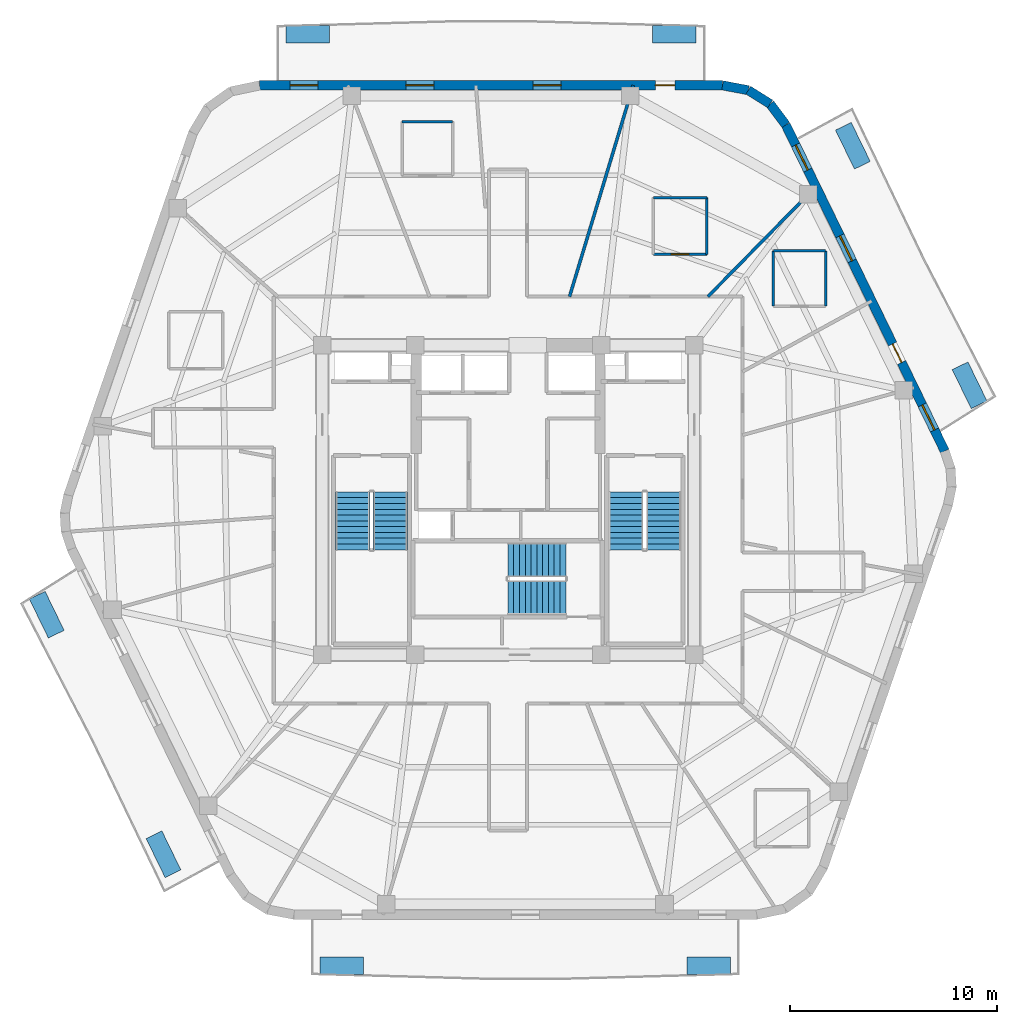
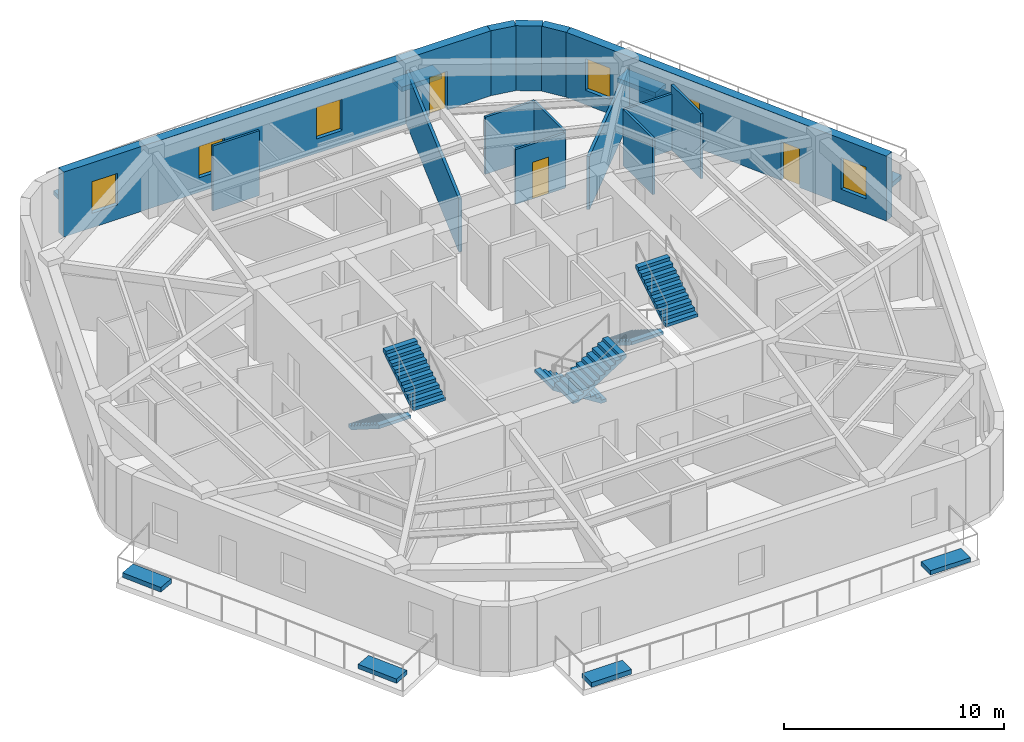
# One storey, part 6 of 9: 14 walls, 8 discrete accessories, 6 stair flights, 6 windows, 3 doors, 9 openings, 3 elements without a shape of their own.
"""IFC4 building model written with IfcOpenShell, lengths in metres."""

from ifc_helpers import new_model, si_unit, direction, frame, frame_2d, origin, origin_2d, place, context, subcontext, project, spatial, polyline, rectangle, outline, extrude, material, layer, layer_set, type_object, element, fill, aggregate, save


model = new_model("IFC4")

# Units and contexts
model_context = context("Model", 3, precision=1e-05, world=origin(), true_north=direction((0.0, 1.0)))
body_context = subcontext(model_context, "Body", "Model", "MODEL_VIEW")
ifc_project = project(units=[si_unit("LENGTHUNIT", "METRE"), si_unit("AREAUNIT", "SQUARE_METRE"), si_unit("VOLUMEUNIT", "CUBIC_METRE"), si_unit("PLANEANGLEUNIT", "RADIAN"), si_unit("MASSUNIT", "GRAM", prefix="KILO")], contexts=[model_context])

# Site, building, storey
site_placement = place(None, origin())
site = spatial("IfcSite", under=ifc_project, at=site_placement, CompositionType="ELEMENT")
building_placement = place(site_placement, origin())
building = spatial("IfcBuilding", under=site, at=building_placement, Name="Kilnhurst Terrace Hotel", CompositionType="ELEMENT")
storey_placement = place(building_placement, frame((0.0, 0.0, 280.800048828125)))
storey = spatial("IfcBuildingStorey", under=building, at=storey_placement, Name="L70", CompositionType="ELEMENT", Elevation=280.800048828125)

# Walls
ifc_material_1 = material(Name="Precast concrete C40/50", Category="concrete")
ifc_layer_1 = layer(ifc_material_1, 0.449951171875, Name="Precast concrete C40/50")
ifc_layer_set_1 = layer_set([ifc_layer_1], Name="Precast concrete C40/50")
wall_type_1 = type_object("IfcWallType", Name="WL-BRK-450", PredefinedType="SOLIDWALL", material=ifc_layer_set_1)
wall_1_placement = place(storey_placement, frame((13.44287109375, 18.159912109375, 0.0), z_axis=(0.0, 0.0, 1.0), x_axis=(-0.597042425808, 0.802209661987, 0.0)))
element("IfcWall", 1, at=wall_1_placement, inside=storey, type_object=wall_type_1, Name="L70 Rounded Corner Brick Wall C4.1", PredefinedType="SOLIDWALL", context=body_context, shape_type="SweptSolid", body=[
    extrude(rectangle(XDim=1.269775390625, YDim=0.449951171875, at=frame_2d((0.634765625, 0.0))), origin(), (0.0, 0.0, 1.0), 3.599853515625),
])
wall_2_placement = place(storey_placement, frame((12.684814453125, 19.178466796875, 0.0), z_axis=(0.0, 0.0, 1.0), x_axis=(-0.848031272749, 0.529946186362, 0.0)))
element("IfcWall", 2, at=wall_2_placement, inside=storey, type_object=wall_type_1, Name="L70 Rounded Corner Brick Wall C4.2", PredefinedType="SOLIDWALL", context=body_context, shape_type="SweptSolid", body=[
    extrude(rectangle(XDim=1.248046875, YDim=0.449951171875, at=frame_2d((0.6240234375, 0.0))), origin(), (0.0, 0.0, 1.0), 3.599853515625),
])
wall_3_placement = place(storey_placement, frame((11.62646484375, 19.83984375, 0.0), z_axis=(0.0, 0.0, 1.0), x_axis=(-0.982701956681, 0.185194126083, 0.0)))
element("IfcWall", 3, at=wall_3_placement, inside=storey, type_object=wall_type_1, Name="L70 Rounded Corner Brick Wall C4.3", PredefinedType="SOLIDWALL", context=body_context, shape_type="SweptSolid", body=[
    extrude(rectangle(XDim=1.26953125, YDim=0.449951171875, at=frame_2d((0.634765625, 0.0))), origin(), (0.0, 0.0, 1.0), 3.599853515625),
])

# Wall, openings, door, windows
wall_4_placement = place(storey_placement, frame((21.138427734375, 2.370849609375, 0.0), z_axis=(0.0, 0.0, 1.0), x_axis=(-0.438128124058, 0.89891253574, 0.0)))
wall_4 = element("IfcWall", 4, at=wall_4_placement, inside=storey, type_object=wall_type_1, Name="L70 Exterior Brick Facade Wall F3", PredefinedType="SOLIDWALL", context=body_context, shape_type="SweptSolid", body=[
    extrude(rectangle(XDim=17.564697265625, YDim=0.449951171875, at=frame_2d((8.7822265625, 0.0))), origin(), (0.0, 0.0, 1.0), 3.599853515625),
])
opening_1_placement = place(wall_4_placement, frame((4.76904296875, 0.0, 0.0)))
opening_1 = element("IfcOpeningElement", 5, at=opening_1_placement, cuts=wall_4, Name="Opening BD-1000", PredefinedType="OPENING", context=body_context, shape_type="SweptSolid", body=[
    extrude(rectangle(XDim=1.0, YDim=2.14990234375, at=frame_2d((0.5, 1.074951171875))), frame((0.0, 0.23486328125, 0.0), z_axis=(0.0, -1.0, 0.0), x_axis=(1.0, 0.0, 0.0)), (0.0, 0.0, 1.0), 0.469970703125),
])
opening_2_placement = place(wall_4_placement, frame((10.242919921875, 0.0, 0.800048828125)))
opening_2 = element("IfcOpeningElement", 6, at=opening_2_placement, cuts=wall_4, Name="Opening W-06", PredefinedType="OPENING", context=body_context, shape_type="SweptSolid", body=[
    extrude(rectangle(XDim=1.35009765625, YDim=1.75, at=frame_2d((0.675048828125, 0.875))), frame((0.0, 0.23486328125, 0.0), z_axis=(0.0, -1.0, 0.0), x_axis=(1.0, 0.0, 0.0)), (0.0, 0.0, 1.0), 0.469970703125),
])
opening_3_placement = place(wall_4_placement, frame((15.132080078125, 0.0, 0.800048828125)))
opening_3 = element("IfcOpeningElement", 7, at=opening_3_placement, cuts=wall_4, Name="Opening W-06", PredefinedType="OPENING", context=body_context, shape_type="SweptSolid", body=[
    extrude(rectangle(XDim=1.35009765625, YDim=1.75, at=frame_2d((0.675048828125, 0.875))), frame((0.0, 0.23486328125, 0.0), z_axis=(0.0, -1.0, 0.0), x_axis=(1.0, 0.0, 0.0)), (0.0, 0.0, 1.0), 0.469970703125),
])
opening_4_placement = place(wall_4_placement, frame((1.133056640625, 0.0, 0.800048828125)))
opening_4 = element("IfcOpeningElement", 8, at=opening_4_placement, cuts=wall_4, Name="Opening W-06", PredefinedType="OPENING", context=body_context, shape_type="SweptSolid", body=[
    extrude(rectangle(XDim=1.35009765625, YDim=1.75, at=frame_2d((0.675048828125, 0.875))), frame((0.0, 0.23486328125, 0.0), z_axis=(0.0, -1.0, 0.0), x_axis=(1.0, 0.0, 0.0)), (0.0, 0.0, 1.0), 0.469970703125),
])
ifc_material_2 = material(Name="Thermally Broken Bronze Aluminium Alloy 6063-T6 and Laminated Glass", Category="aluminium")
door_type_1 = type_object("IfcDoorType", Name="DR-EXT-BAL-1000", OperationType="NOTDEFINED", PredefinedType="DOOR", material=ifc_material_2)
door_1_placement = place(opening_1_placement, origin())
door_1 = element("IfcDoor", 9, at=door_1_placement, inside=storey, type_object=door_type_1, Name="L70 Planted Balcony Door BAL-L1A", OperationType="SINGLE_SWING_LEFT", OverallHeight=2.14990234375, OverallWidth=1.0, PredefinedType="DOOR", context=body_context, shape_type="SweptSolid", body=[
    extrude(rectangle(XDim=1.0, YDim=2.14990234375, at=frame_2d((0.5, 1.074951171875))), frame((0.0, 0.02490234375, 0.0), z_axis=(0.0, -1.0, 0.0), x_axis=(1.0, 0.0, 0.0)), (0.0, 0.0, 1.0), 0.050048828125),
])
fill(opening_1, door_1)
ifc_material_3 = material(Name="Thermally Broken Bronze Aluminium Alloy 6063-T6 and Low-E Glass", Category="aluminium")
window_type = type_object("IfcWindowType", Name="WIN-1350X1750", PartitioningType="SINGLE_PANEL", PredefinedType="WINDOW", material=ifc_material_3)
window_1_placement = place(opening_2_placement, origin())
window_1 = element("IfcWindow", 10, at=window_1_placement, inside=storey, type_object=window_type, Name="L70 Deep-Set Masonry Window F3.1", OverallHeight=1.75, OverallWidth=1.35009765625, PartitioningType="SINGLE_PANEL", PredefinedType="WINDOW", context=body_context, shape_type="SweptSolid", body=[
    extrude(rectangle(XDim=1.35009765625, YDim=1.75, at=frame_2d((0.675048828125, 0.875))), frame((0.0, 0.030029296875, 0.0), z_axis=(0.0, -1.0, 0.0), x_axis=(1.0, 0.0, 0.0)), (0.0, 0.0, 1.0), 0.06005859375),
])
fill(opening_2, window_1)
window_2_placement = place(opening_3_placement, origin())
window_2 = element("IfcWindow", 11, at=window_2_placement, inside=storey, type_object=window_type, Name="L70 Deep-Set Masonry Window F3.2", OverallHeight=1.75, OverallWidth=1.35009765625, PartitioningType="SINGLE_PANEL", PredefinedType="WINDOW", context=body_context, shape_type="SweptSolid", body=[
    extrude(rectangle(XDim=1.35009765625, YDim=1.75, at=frame_2d((0.675048828125, 0.875))), frame((0.0, 0.030029296875, 0.0), z_axis=(0.0, -1.0, 0.0), x_axis=(1.0, 0.0, 0.0)), (0.0, 0.0, 1.0), 0.06005859375),
])
fill(opening_3, window_2)
window_3_placement = place(opening_4_placement, origin())
window_3 = element("IfcWindow", 12, at=window_3_placement, inside=storey, type_object=window_type, Name="L70 Deep-Set Masonry Window F3.3", OverallHeight=1.75, OverallWidth=1.35009765625, PartitioningType="SINGLE_PANEL", PredefinedType="WINDOW", context=body_context, shape_type="SweptSolid", body=[
    extrude(rectangle(XDim=1.35009765625, YDim=1.75, at=frame_2d((0.675048828125, 0.875))), frame((0.0, 0.030029296875, 0.0), z_axis=(0.0, -1.0, 0.0), x_axis=(1.0, 0.0, 0.0)), (0.0, 0.0, 1.0), 0.06005859375),
])
fill(opening_4, window_3)

wall_5_placement = place(storey_placement, frame((10.37890625, 20.074951171875, 0.0), z_axis=(0.0, 0.0, 1.0), x_axis=(-1.0, 0.0, 0.0)))
wall_5 = element("IfcWall", 13, at=wall_5_placement, inside=storey, type_object=wall_type_1, Name="L70 Exterior Brick Facade Wall F4", PredefinedType="SOLIDWALL", context=body_context, shape_type="SweptSolid", body=[
    extrude(rectangle(XDim=22.417236328125, YDim=0.449951171875, at=frame_2d((11.20849609375, 0.0))), origin(), (0.0, 0.0, 1.0), 3.599853515625),
])
opening_5_placement = place(wall_5_placement, frame((2.302001953125, 0.0, 0.0)))
opening_5 = element("IfcOpeningElement", 14, at=opening_5_placement, cuts=wall_5, Name="Opening BD-950", PredefinedType="OPENING", context=body_context, shape_type="SweptSolid", body=[
    extrude(rectangle(XDim=0.949951171875, YDim=2.14990234375, at=frame_2d((0.47509765625, 1.074951171875))), frame((0.0, 0.23486328125, 0.0), z_axis=(0.0, -1.0, 0.0), x_axis=(1.0, 0.0, 0.0)), (0.0, 0.0, 1.0), 0.469970703125),
])
opening_6_placement = place(wall_5_placement, frame((7.820068359375, 0.0, 0.800048828125)))
opening_6 = element("IfcOpeningElement", 15, at=opening_6_placement, cuts=wall_5, Name="Opening W-06", PredefinedType="OPENING", context=body_context, shape_type="SweptSolid", body=[
    extrude(rectangle(XDim=1.35009765625, YDim=1.75, at=frame_2d((0.675048828125, 0.875))), frame((0.0, 0.23486328125, 0.0), z_axis=(0.0, -1.0, 0.0), x_axis=(1.0, 0.0, 0.0)), (0.0, 0.0, 1.0), 0.469970703125),
])
opening_7_placement = place(wall_5_placement, frame((13.97802734375, 0.0, 0.800048828125)))
opening_7 = element("IfcOpeningElement", 16, at=opening_7_placement, cuts=wall_5, Name="Opening W-06", PredefinedType="OPENING", context=body_context, shape_type="SweptSolid", body=[
    extrude(rectangle(XDim=1.35009765625, YDim=1.75, at=frame_2d((0.675048828125, 0.875))), frame((0.0, 0.23486328125, 0.0), z_axis=(0.0, -1.0, 0.0), x_axis=(1.0, 0.0, 0.0)), (0.0, 0.0, 1.0), 0.469970703125),
])
opening_8_placement = place(wall_5_placement, frame((19.5869140625, 0.0, 0.800048828125)))
opening_8 = element("IfcOpeningElement", 17, at=opening_8_placement, cuts=wall_5, Name="Opening W-06", PredefinedType="OPENING", context=body_context, shape_type="SweptSolid", body=[
    extrude(rectangle(XDim=1.35009765625, YDim=1.75, at=frame_2d((0.675048828125, 0.875))), frame((0.0, 0.23486328125, 0.0), z_axis=(0.0, -1.0, 0.0), x_axis=(1.0, 0.0, 0.0)), (0.0, 0.0, 1.0), 0.469970703125),
])
door_type_2 = type_object("IfcDoorType", Name="DR-EXT-BAL-950", OperationType="NOTDEFINED", PredefinedType="DOOR", material=ifc_material_2)
door_2_placement = place(opening_5_placement, origin())
door_2 = element("IfcDoor", 18, at=door_2_placement, inside=storey, type_object=door_type_2, Name="L70 Planted Balcony Door BAL-L1B", OperationType="SINGLE_SWING_RIGHT", OverallHeight=2.14990234375, OverallWidth=0.949951171875, PredefinedType="DOOR", context=body_context, shape_type="SweptSolid", body=[
    extrude(rectangle(XDim=0.949951171875, YDim=2.14990234375, at=frame_2d((0.47509765625, 1.074951171875))), frame((0.0, 0.02490234375, 0.0), z_axis=(0.0, -1.0, 0.0), x_axis=(1.0, 0.0, 0.0)), (0.0, 0.0, 1.0), 0.050048828125),
])
fill(opening_5, door_2)
window_4_placement = place(opening_6_placement, origin())
window_4 = element("IfcWindow", 19, at=window_4_placement, inside=storey, type_object=window_type, Name="L70 Deep-Set Masonry Window F4.1", OverallHeight=1.75, OverallWidth=1.35009765625, PartitioningType="SINGLE_PANEL", PredefinedType="WINDOW", context=body_context, shape_type="SweptSolid", body=[
    extrude(rectangle(XDim=1.35009765625, YDim=1.75, at=frame_2d((0.675048828125, 0.875))), frame((0.0, 0.030029296875, 0.0), z_axis=(0.0, -1.0, 0.0), x_axis=(1.0, 0.0, 0.0)), (0.0, 0.0, 1.0), 0.06005859375),
])
fill(opening_6, window_4)
window_5_placement = place(opening_7_placement, origin())
window_5 = element("IfcWindow", 20, at=window_5_placement, inside=storey, type_object=window_type, Name="L70 Deep-Set Masonry Window F4.2", OverallHeight=1.75, OverallWidth=1.35009765625, PartitioningType="SINGLE_PANEL", PredefinedType="WINDOW", context=body_context, shape_type="SweptSolid", body=[
    extrude(rectangle(XDim=1.35009765625, YDim=1.75, at=frame_2d((0.675048828125, 0.875))), frame((0.0, 0.030029296875, 0.0), z_axis=(0.0, -1.0, 0.0), x_axis=(1.0, 0.0, 0.0)), (0.0, 0.0, 1.0), 0.06005859375),
])
fill(opening_7, window_5)
window_6_placement = place(opening_8_placement, origin())
window_6 = element("IfcWindow", 21, at=window_6_placement, inside=storey, type_object=window_type, Name="L70 Deep-Set Masonry Window F4.3", OverallHeight=1.75, OverallWidth=1.35009765625, PartitioningType="SINGLE_PANEL", PredefinedType="WINDOW", context=body_context, shape_type="SweptSolid", body=[
    extrude(rectangle(XDim=1.35009765625, YDim=1.75, at=frame_2d((0.675048828125, 0.875))), frame((0.0, 0.030029296875, 0.0), z_axis=(0.0, -1.0, 0.0), x_axis=(1.0, 0.0, 0.0)), (0.0, 0.0, 1.0), 0.06005859375),
])
fill(opening_8, window_6)

# Walls
ifc_material_4 = material(Name="STC-58 Acoustic Twin-Frame Guestroom Demising Partition")
ifc_layer_2 = layer(ifc_material_4, 0.14990234375, Name="STC-58 Acoustic Twin-Frame Guestroom Demising Partition")
ifc_layer_set_2 = layer_set([ifc_layer_2], Name="STC-58 Acoustic Twin-Frame Guestroom Demising Partition")
wall_type_2 = type_object("IfcWallType", Name="WL-DEM-150", PredefinedType="PARTITIONING", material=ifc_layer_set_2)
wall_6_placement = place(storey_placement, frame((9.67236328125, 9.85009765625, 0.0), z_axis=(0.0, 0.0, 1.0), x_axis=(0.700629771301, 0.713524998558, 0.0)))
element("IfcWall", 22, at=wall_6_placement, inside=storey, type_object=wall_type_2, Name="L70 Interior Wall WL-L70-DEM-COL02-03-1", PredefinedType="PARTITIONING", context=body_context, shape_type="SweptSolid", body=[
    extrude(rectangle(XDim=7.45947265625, YDim=0.14990234375, at=frame_2d((3.729736328125, 0.0))), origin(), (0.0, 0.0, 1.0), 2.93994140625),
])
wall_7_placement = place(storey_placement, frame((2.97216796875, 9.85009765625, 0.0), z_axis=(0.0, 0.0, 1.0), x_axis=(0.288872169679, 0.957367677324, 0.0)))
element("IfcWall", 23, at=wall_7_placement, inside=storey, type_object=wall_type_2, Name="L70 Interior Wall WL-L70-DEM-COL03-04-1", PredefinedType="PARTITIONING", context=body_context, shape_type="SweptSolid", body=[
    extrude(rectangle(XDim=10.68017578125, YDim=0.14990234375, at=frame_2d((5.340087890625, 0.0))), origin(), (0.0, 0.0, 1.0), 2.93994140625),
])
ifc_material_5 = material(Name="120 mm Moisture-Resistant Tile-Backed Bathroom Partition")
ifc_layer_3 = layer(ifc_material_5, 0.1201171875, Name="120 mm Moisture-Resistant Tile-Backed Bathroom Partition")
ifc_layer_set_3 = layer_set([ifc_layer_3], Name="120 mm Moisture-Resistant Tile-Backed Bathroom Partition")
wall_type_3 = type_object("IfcWallType", Name="WL-PART-120", PredefinedType="PARTITIONING", material=ifc_layer_set_3)
wall_8_placement = place(storey_placement, frame((15.365966796875, 9.382080078125, 0.0), z_axis=(0.0, 0.0, 1.0), x_axis=(0.0, 1.0, 0.0)))
element("IfcWall", 24, at=wall_8_placement, inside=storey, type_object=wall_type_3, Name="L70 Interior Wall WL-L70-BTH-02-2", PredefinedType="PARTITIONING", context=body_context, shape_type="SweptSolid", body=[
    extrude(rectangle(XDim=2.679931640625, YDim=0.1201171875, at=frame_2d((1.33984375, 0.0))), origin(), (0.0, 0.0, 1.0), 3.599853515625),
])
wall_9_placement = place(storey_placement, frame((15.365966796875, 12.06201171875, 0.0), z_axis=(0.0, 0.0, 1.0), x_axis=(-1.0, 0.0, 0.0)))
element("IfcWall", 25, at=wall_9_placement, inside=storey, type_object=wall_type_3, Name="L70 Interior Wall WL-L70-BTH-02-3", PredefinedType="PARTITIONING", context=body_context, shape_type="SweptSolid", body=[
    extrude(rectangle(XDim=2.52001953125, YDim=0.1201171875, at=frame_2d((1.260009765625, 0.0))), origin(), (0.0, 0.0, 1.0), 3.12646484375),
])
wall_10_placement = place(storey_placement, frame((12.845947265625, 12.06201171875, 0.0), z_axis=(0.0, 0.0, 1.0), x_axis=(0.0, -1.0, 0.0)))
element("IfcWall", 26, at=wall_10_placement, inside=storey, type_object=wall_type_3, Name="L70 Interior Wall WL-L70-BTH-02-4", PredefinedType="PARTITIONING", context=body_context, shape_type="SweptSolid", body=[
    extrude(rectangle(XDim=2.679931640625, YDim=0.1201171875, at=frame_2d((1.33984375, 0.0))), origin(), (0.0, 0.0, 1.0), 3.12646484375),
])

# Wall, opening, door
wall_11_placement = place(storey_placement, frame((7.02587890625, 11.889892578125, 0.0), z_axis=(0.0, 0.0, 1.0), x_axis=(1.0, 0.0, 0.0)))
wall_11 = element("IfcWall", 27, at=wall_11_placement, inside=storey, type_object=wall_type_3, Name="L70 Interior Wall WL-L70-BTH-03-1", PredefinedType="PARTITIONING", context=body_context, shape_type="SweptSolid", body=[
    extrude(rectangle(XDim=2.60009765625, YDim=0.1201171875, at=frame_2d((1.300048828125, 0.0))), origin(), (0.0, 0.0, 1.0), 3.04052734375),
])
opening_9_placement = place(wall_11_placement, frame((0.875, 0.0, 0.0)))
opening_9 = element("IfcOpeningElement", 28, at=opening_9_placement, cuts=wall_11, Name="Opening D-08A", PredefinedType="OPENING", context=body_context, shape_type="SweptSolid", body=[
    extrude(rectangle(XDim=0.85009765625, YDim=2.030029296875, at=frame_2d((0.425048828125, 1.01513671875))), frame((0.0, 0.070068359375, 0.0), z_axis=(0.0, -1.0, 0.0), x_axis=(1.0, 0.0, 0.0)), (0.0, 0.0, 1.0), 0.14013671875),
])
ifc_material_6 = material(Name="Moisture-Resistant Lacquered En-suite Bathroom Door")
door_type_3 = type_object("IfcDoorType", Name="DR-INT-850", OperationType="NOTDEFINED", PredefinedType="DOOR", material=ifc_material_6)
door_3_placement = place(opening_9_placement, origin())
door_3 = element("IfcDoor", 29, at=door_3_placement, inside=storey, type_object=door_type_3, Name="L70 En-suite Bathroom Door 3", OperationType="SINGLE_SWING_RIGHT", OverallHeight=2.030029296875, OverallWidth=0.85009765625, PredefinedType="DOOR", context=body_context, shape_type="SweptSolid", body=[
    extrude(rectangle(XDim=0.85009765625, YDim=2.030029296875, at=frame_2d((0.425048828125, 1.01513671875))), frame((0.0, 0.02490234375, 0.0), z_axis=(0.0, -1.0, 0.0), x_axis=(1.0, 0.0, 0.0)), (0.0, 0.0, 1.0), 0.050048828125),
])
fill(opening_9, door_3)

# Walls
wall_12_placement = place(storey_placement, frame((9.6259765625, 11.889892578125, 0.0), z_axis=(0.0, 0.0, 1.0), x_axis=(0.0, 1.0, 0.0)))
element("IfcWall", 30, at=wall_12_placement, inside=storey, type_object=wall_type_3, Name="L70 Interior Wall WL-L70-BTH-03-2", PredefinedType="PARTITIONING", context=body_context, shape_type="SweptSolid", body=[
    extrude(rectangle(XDim=2.75, YDim=0.1201171875, at=frame_2d((1.375, 0.0))), origin(), (0.0, 0.0, 1.0), 3.17236328125),
])
wall_13_placement = place(storey_placement, frame((9.6259765625, 14.639892578125, 0.0), z_axis=(0.0, 0.0, 1.0), x_axis=(-1.0, 0.0, 0.0)))
element("IfcWall", 31, at=wall_13_placement, inside=storey, type_object=wall_type_3, Name="L70 Interior Wall WL-L70-BTH-03-3", PredefinedType="PARTITIONING", context=body_context, shape_type="SweptSolid", body=[
    extrude(rectangle(XDim=2.60009765625, YDim=0.1201171875, at=frame_2d((1.300048828125, 0.0))), origin(), (0.0, 0.0, 1.0), 3.17236328125),
])
wall_14_placement = place(storey_placement, frame((-2.694091796875, 18.318115234375, 0.0), z_axis=(0.0, 0.0, 1.0), x_axis=(-1.0, 0.0, 0.0)))
element("IfcWall", 32, at=wall_14_placement, inside=storey, type_object=wall_type_3, Name="L70 Interior Wall WL-L70-BTH-05-3", PredefinedType="PARTITIONING", context=body_context, shape_type="SweptSolid", body=[
    extrude(rectangle(XDim=2.43994140625, YDim=0.1201171875, at=frame_2d((1.219970703125, 0.0))), origin(), (0.0, 0.0, 1.0), 3.599853515625),
])

# Stair, stair flights
ifc_material_7 = material(Name="Concrete C50/60", Category="concrete")
stair_type = type_object("IfcStairType", Name="STR-CORE-1660", PredefinedType="HALF_TURN_STAIR", material=ifc_material_7)
stair_1_placement = place(storey_placement, origin())
stair_1 = element("IfcStair", 33, at=stair_1_placement, inside=storey, type_object=stair_type, Name="L70 ST-1", PredefinedType="HALF_TURN_STAIR")
stair_flight_type = type_object("IfcStairFlightType", Name="FLT-RC-1660", PredefinedType="STRAIGHT", material=ifc_material_7)
stair_flight_1_placement = place(storey_placement, frame((-7.52001953125, 0.389892578125, 0.0), z_axis=(0.0, 0.0, 1.0), x_axis=(0.0, -1.0, 0.0)))
stair_flight_1 = element("IfcStairFlight", 34, at=stair_flight_1_placement, type_object=stair_flight_type, Name="ST-1 flight 1", NumberOfRisers=11, NumberOfTreads=10, PredefinedType="STRAIGHT", RiserHeight=0.177272727, TreadLength=0.28, context=body_context, shape_type="SweptSolid", body=[
    extrude(outline(polyline([(0.0, 0.0), (0.0, 0.17724609375), (0.280029296875, 0.17724609375), (0.280029296875, 0.3544921875), (0.56005859375, 0.3544921875), (0.56005859375, 0.53173828125), (0.840087890625, 0.53173828125), (0.840087890625, 0.708984375), (1.1201171875, 0.708984375), (1.1201171875, 0.886474609375), (1.39990234375, 0.886474609375), (1.39990234375, 1.063720703125), (1.679931640625, 1.063720703125), (1.679931640625, 1.240966796875), (1.9599609375, 1.240966796875), (1.9599609375, 1.418212890625), (2.239990234375, 1.418212890625), (2.239990234375, 1.595458984375), (2.52001953125, 1.595458984375), (2.52001953125, 1.772705078125), (2.800048828125, 1.772705078125), (2.800048828125, 1.949951171875), (2.800048828125, 1.59521484375), (0.2802734375, 0.0), (0.0, 0.0)])), frame((0.0, 0.830078125, 0.0), z_axis=(0.0, -1.0, 0.0), x_axis=(1.0, 0.0, 0.0)), (0.0, 0.0, 1.0), 1.659912109375),
])
stair_flight_2_placement = place(storey_placement, frame((-5.7099609375, -2.409912109375, 1.949951171875), z_axis=(0.0, 0.0, 1.0), x_axis=(0.0, 1.0, 0.0)))
stair_flight_2 = element("IfcStairFlight", 35, at=stair_flight_2_placement, type_object=stair_flight_type, Name="ST-1 flight 2", NumberOfRisers=11, NumberOfTreads=10, PredefinedType="STRAIGHT", RiserHeight=0.177272727, TreadLength=0.28, context=body_context, shape_type="SweptSolid", body=[
    extrude(outline(polyline([(0.0, 0.0), (0.0, 0.17724609375), (0.280029296875, 0.17724609375), (0.280029296875, 0.3544921875), (0.56005859375, 0.3544921875), (0.56005859375, 0.53173828125), (0.840087890625, 0.53173828125), (0.840087890625, 0.708984375), (1.1201171875, 0.708984375), (1.1201171875, 0.886474609375), (1.39990234375, 0.886474609375), (1.39990234375, 1.063720703125), (1.679931640625, 1.063720703125), (1.679931640625, 1.240966796875), (1.9599609375, 1.240966796875), (1.9599609375, 1.418212890625), (2.239990234375, 1.418212890625), (2.239990234375, 1.595458984375), (2.52001953125, 1.595458984375), (2.52001953125, 1.772705078125), (2.800048828125, 1.772705078125), (2.800048828125, 1.949951171875), (2.800048828125, 1.59521484375), (0.2802734375, 0.0), (0.0, 0.0)])), frame((0.0, 0.830078125, 0.0), z_axis=(0.0, -1.0, 0.0), x_axis=(1.0, 0.0, 0.0)), (0.0, 0.0, 1.0), 1.659912109375),
])
aggregate(stair_1, [stair_flight_1, stair_flight_2])

stair_2_placement = place(storey_placement, origin())
stair_2 = element("IfcStair", 36, at=stair_2_placement, inside=storey, type_object=stair_type, Name="L70 ST-2", PredefinedType="HALF_TURN_STAIR")
stair_flight_3_placement = place(storey_placement, frame((5.7099609375, 0.389892578125, 0.0), z_axis=(0.0, 0.0, 1.0), x_axis=(0.0, -1.0, 0.0)))
stair_flight_3 = element("IfcStairFlight", 37, at=stair_flight_3_placement, type_object=stair_flight_type, Name="ST-2 flight 1", NumberOfRisers=11, NumberOfTreads=10, PredefinedType="STRAIGHT", RiserHeight=0.177272727, TreadLength=0.28, context=body_context, shape_type="SweptSolid", body=[
    extrude(outline(polyline([(0.0, 0.0), (0.0, 0.17724609375), (0.280029296875, 0.17724609375), (0.280029296875, 0.3544921875), (0.56005859375, 0.3544921875), (0.56005859375, 0.53173828125), (0.840087890625, 0.53173828125), (0.840087890625, 0.708984375), (1.1201171875, 0.708984375), (1.1201171875, 0.886474609375), (1.39990234375, 0.886474609375), (1.39990234375, 1.063720703125), (1.679931640625, 1.063720703125), (1.679931640625, 1.240966796875), (1.9599609375, 1.240966796875), (1.9599609375, 1.418212890625), (2.239990234375, 1.418212890625), (2.239990234375, 1.595458984375), (2.52001953125, 1.595458984375), (2.52001953125, 1.772705078125), (2.800048828125, 1.772705078125), (2.800048828125, 1.949951171875), (2.800048828125, 1.59521484375), (0.2802734375, 0.0), (0.0, 0.0)])), frame((0.0, 0.830078125, 0.0), z_axis=(0.0, -1.0, 0.0), x_axis=(1.0, 0.0, 0.0)), (0.0, 0.0, 1.0), 1.659912109375),
])
stair_flight_4_placement = place(storey_placement, frame((7.52001953125, -2.409912109375, 1.949951171875), z_axis=(0.0, 0.0, 1.0), x_axis=(0.0, 1.0, 0.0)))
stair_flight_4 = element("IfcStairFlight", 38, at=stair_flight_4_placement, type_object=stair_flight_type, Name="ST-2 flight 2", NumberOfRisers=11, NumberOfTreads=10, PredefinedType="STRAIGHT", RiserHeight=0.177272727, TreadLength=0.28, context=body_context, shape_type="SweptSolid", body=[
    extrude(outline(polyline([(0.0, 0.0), (0.0, 0.17724609375), (0.280029296875, 0.17724609375), (0.280029296875, 0.3544921875), (0.56005859375, 0.3544921875), (0.56005859375, 0.53173828125), (0.840087890625, 0.53173828125), (0.840087890625, 0.708984375), (1.1201171875, 0.708984375), (1.1201171875, 0.886474609375), (1.39990234375, 0.886474609375), (1.39990234375, 1.063720703125), (1.679931640625, 1.063720703125), (1.679931640625, 1.240966796875), (1.9599609375, 1.240966796875), (1.9599609375, 1.418212890625), (2.239990234375, 1.418212890625), (2.239990234375, 1.595458984375), (2.52001953125, 1.595458984375), (2.52001953125, 1.772705078125), (2.800048828125, 1.772705078125), (2.800048828125, 1.949951171875), (2.800048828125, 1.59521484375), (0.2802734375, 0.0), (0.0, 0.0)])), frame((0.0, 0.830078125, 0.0), z_axis=(0.0, -1.0, 0.0), x_axis=(1.0, 0.0, 0.0)), (0.0, 0.0, 1.0), 1.659912109375),
])
aggregate(stair_2, [stair_flight_3, stair_flight_4])

stair_3_placement = place(storey_placement, origin())
stair_3 = element("IfcStair", 39, at=stair_3_placement, inside=storey, type_object=stair_type, Name="L70 ST-3", PredefinedType="HALF_TURN_STAIR")
stair_flight_5_placement = place(storey_placement, frame((2.7900390625, -2.909912109375, 0.0), z_axis=(0.0, 0.0, 1.0), x_axis=(-1.0, 0.0, 0.0)))
stair_flight_5 = element("IfcStairFlight", 40, at=stair_flight_5_placement, type_object=stair_flight_type, Name="ST-3 flight 1", NumberOfRisers=11, NumberOfTreads=10, PredefinedType="STRAIGHT", RiserHeight=0.177272727, TreadLength=0.28, context=body_context, shape_type="SweptSolid", body=[
    extrude(outline(polyline([(0.0, 0.0), (0.0, 0.17724609375), (0.280029296875, 0.17724609375), (0.280029296875, 0.3544921875), (0.56005859375, 0.3544921875), (0.56005859375, 0.53173828125), (0.840087890625, 0.53173828125), (0.840087890625, 0.708984375), (1.1201171875, 0.708984375), (1.1201171875, 0.886474609375), (1.39990234375, 0.886474609375), (1.39990234375, 1.063720703125), (1.679931640625, 1.063720703125), (1.679931640625, 1.240966796875), (1.9599609375, 1.240966796875), (1.9599609375, 1.418212890625), (2.239990234375, 1.418212890625), (2.239990234375, 1.595458984375), (2.52001953125, 1.595458984375), (2.52001953125, 1.772705078125), (2.800048828125, 1.772705078125), (2.800048828125, 1.949951171875), (2.800048828125, 1.59521484375), (0.2802734375, 0.0), (0.0, 0.0)])), frame((0.0, 0.830078125, 0.0), z_axis=(0.0, -1.0, 0.0), x_axis=(1.0, 0.0, 0.0)), (0.0, 0.0, 1.0), 1.659912109375),
])
stair_flight_6_placement = place(storey_placement, frame((-0.010009765625, -4.719970703125, 1.949951171875), z_axis=(0.0, 0.0, 1.0), x_axis=(1.0, 0.0, 0.0)))
stair_flight_6 = element("IfcStairFlight", 41, at=stair_flight_6_placement, type_object=stair_flight_type, Name="ST-3 flight 2", NumberOfRisers=11, NumberOfTreads=10, PredefinedType="STRAIGHT", RiserHeight=0.177272727, TreadLength=0.28, context=body_context, shape_type="SweptSolid", body=[
    extrude(outline(polyline([(0.0, 0.0), (0.0, 0.17724609375), (0.280029296875, 0.17724609375), (0.280029296875, 0.3544921875), (0.56005859375, 0.3544921875), (0.56005859375, 0.53173828125), (0.840087890625, 0.53173828125), (0.840087890625, 0.708984375), (1.1201171875, 0.708984375), (1.1201171875, 0.886474609375), (1.39990234375, 0.886474609375), (1.39990234375, 1.063720703125), (1.679931640625, 1.063720703125), (1.679931640625, 1.240966796875), (1.9599609375, 1.240966796875), (1.9599609375, 1.418212890625), (2.239990234375, 1.418212890625), (2.239990234375, 1.595458984375), (2.52001953125, 1.595458984375), (2.52001953125, 1.772705078125), (2.800048828125, 1.772705078125), (2.800048828125, 1.949951171875), (2.800048828125, 1.59521484375), (0.2802734375, 0.0), (0.0, 0.0)])), frame((0.0, 0.830078125, 0.0), z_axis=(0.0, -1.0, 0.0), x_axis=(1.0, 0.0, 0.0)), (0.0, 0.0, 1.0), 1.659912109375),
])
aggregate(stair_3, [stair_flight_5, stair_flight_6])

# Discrete accessories
ifc_material_8 = material(Name="Precast Concrete C40/50 Shrub Planter", Category="concrete")
discrete_accessory_type_1 = type_object("IfcDiscreteAccessoryType", Name="PLN-SHRUB-240", PredefinedType="USERDEFINED", material=ifc_material_8)
for number, where, z_axis, x_axis, name in (
    (42, (16.68798828125, 17.150634765625, 0.0), (0.0, 0.0, 1.0), (-0.438135828038, 0.898908780795, 0.0), "L70 Structural Tree Planter Box PLANTER BAL-L1A.2"),
    (43, (-9.711669921875, 22.550048828125, 0.0), (0.0, 0.0, 1.0), (-1.0, 0.0, 0.0), "L70 Structural Tree Planter Box PLANTER BAL-L1B.2"),
    (44, (-16.68798828125, -17.150634765625, 0.0), (0.0, 0.0, 1.0), (0.438135828038, -0.898908780795, 0.0), "L70 Structural Tree Planter Box PLANTER BAL-L2A.2"),
    (45, (9.711669921875, -22.550048828125, 0.0), (0.0, 0.0, 1.0), (1.0, 0.0, 0.0), "L70 Structural Tree Planter Box PLANTER BAL-L2B.2"),
):
    element("IfcDiscreteAccessory", number, at=place(storey_placement, frame(where, z_axis=z_axis, x_axis=x_axis)), inside=storey, type_object=discrete_accessory_type_1, Name=name, ObjectType="PLANTER", PredefinedType="USERDEFINED", context=body_context, shape_type="SweptSolid", body=[
        extrude(rectangle(XDim=2.10009765625, YDim=0.85009765625, at=origin_2d()), origin(), (0.0, 0.0, 1.0), 0.239990234375),
    ])
ifc_material_9 = material(Name="Precast Concrete C40/50 Tree Planter", Category="concrete")
discrete_accessory_type_2 = type_object("IfcDiscreteAccessoryType", Name="PLN-TREE-260", PredefinedType="USERDEFINED", material=ifc_material_9)
for number, where, z_axis, x_axis, name in (
    (46, (22.340087890625, 5.55419921875, 0.0), (0.0, 0.0, 1.0), (-0.438135828038, 0.898908780795, 0.0), "L70 Structural Tree Planter Box PLANTER BAL-L1A.1"),
    (47, (8.0498046875, 22.550048828125, 0.0), (0.0, 0.0, 1.0), (-1.0, 0.0, 0.0), "L70 Structural Tree Planter Box PLANTER BAL-L1B.1"),
    (48, (-22.340087890625, -5.55419921875, 0.0), (0.0, 0.0, 1.0), (0.438135828038, -0.898908780795, 0.0), "L70 Structural Tree Planter Box PLANTER BAL-L2A.1"),
    (49, (-8.0498046875, -22.550048828125, 0.0), (0.0, 0.0, 1.0), (1.0, 0.0, 0.0), "L70 Structural Tree Planter Box PLANTER BAL-L2B.1"),
):
    element("IfcDiscreteAccessory", number, at=place(storey_placement, frame(where, z_axis=z_axis, x_axis=x_axis)), inside=storey, type_object=discrete_accessory_type_2, Name=name, ObjectType="PLANTER", PredefinedType="USERDEFINED", context=body_context, shape_type="SweptSolid", body=[
        extrude(rectangle(XDim=2.10009765625, YDim=0.85009765625, at=origin_2d()), origin(), (0.0, 0.0, 1.0), 0.260009765625),
    ])

save(model, "model.ifc")
